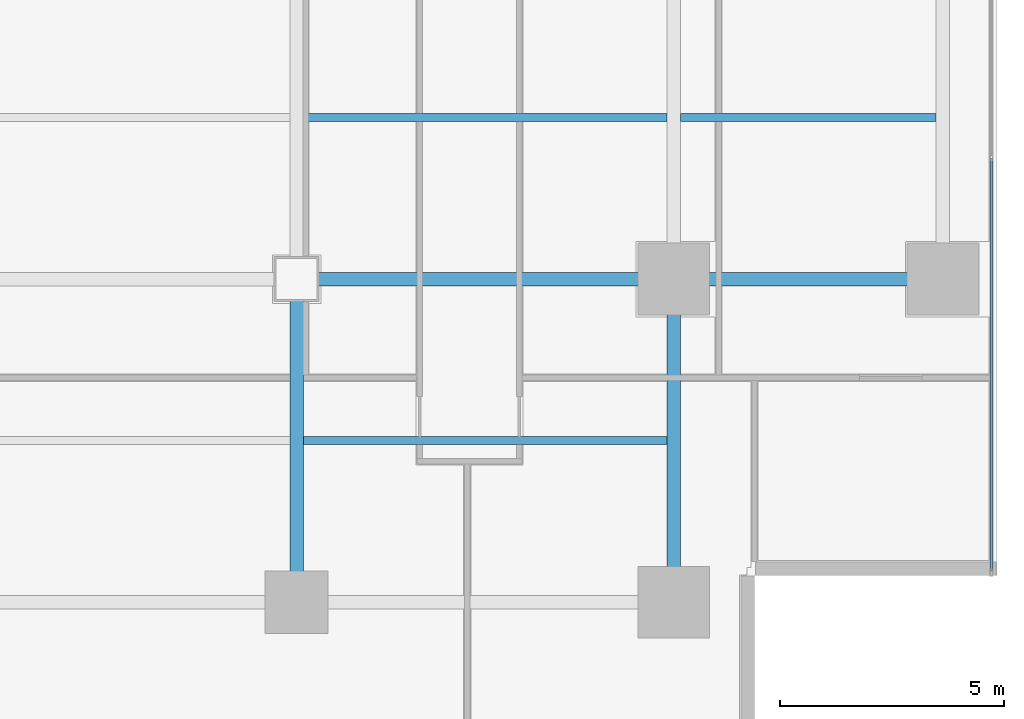
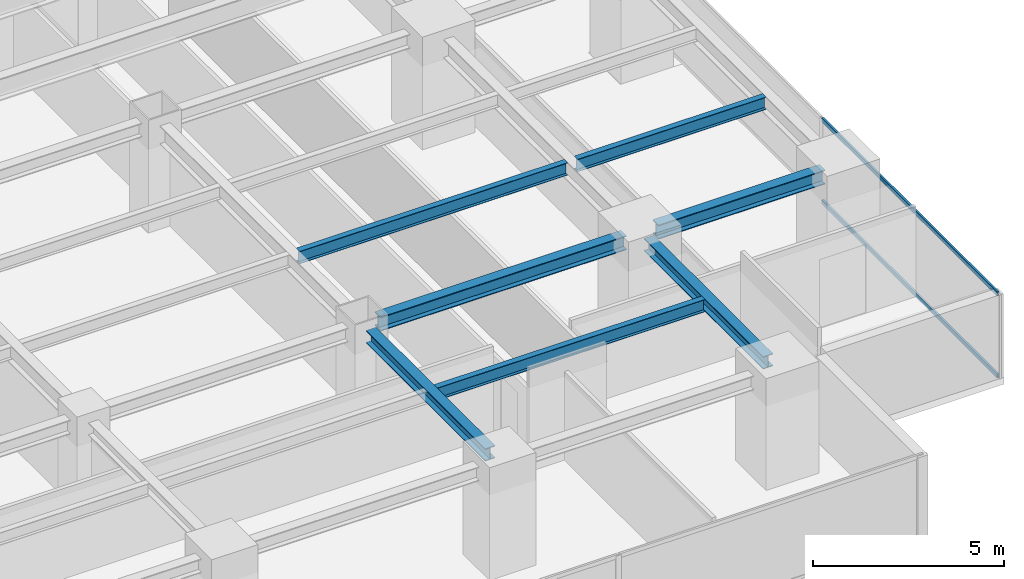
# One storey, part 10 of 28: 7 beams, 2 members, 1 element without a shape of its own.
"""IFC4 building model written with IfcOpenShell, lengths in metres."""

from ifc_helpers import new_model, si_unit, direction, frame, origin, origin_2d, place, context, subcontext, project, spatial, hollow_rectangle, i_section, extrude, source, transform, mapped, material, layer, layer_set, material_profile, profile_set, type_object, element, aggregate, save


model = new_model("IFC4")

# Units and contexts
model_context = context("Model", 3, precision=1e-05, world=origin(), true_north=direction((0.0, 1.0)))
body_context = subcontext(model_context, "Body", "Model", "MODEL_VIEW")
ifc_project = project(units=[si_unit("LENGTHUNIT", "METRE"), si_unit("AREAUNIT", "SQUARE_METRE"), si_unit("VOLUMEUNIT", "CUBIC_METRE"), si_unit("PLANEANGLEUNIT", "RADIAN"), si_unit("MASSUNIT", "GRAM", prefix="KILO")], contexts=[model_context])

# Site, building, storey
site_placement = place(None, origin())
site = spatial("IfcSite", under=ifc_project, at=site_placement, CompositionType="ELEMENT")
building_placement = place(site_placement, origin())
building = spatial("IfcBuilding", under=site, at=building_placement, Name="Sumidabori Civic Tower", CompositionType="ELEMENT")
storey_placement = place(building_placement, frame((0.0, 0.0, 185.60009765625)))
storey = spatial("IfcBuildingStorey", under=building, at=storey_placement, Name="L48", CompositionType="ELEMENT", Elevation=185.60009765625)

# Beams
ifc_material_1 = material(Name="Steel SN490", Category="steel")
ifc_material_profile_1 = material_profile(ifc_material_1, i_section(OverallWidth=0.300048828125, OverallDepth=0.39990234375, WebThickness=0.013427734375, FlangeThickness=0.02392578125, at=origin_2d()), Name="HE 400 B")
ifc_profile_set_1 = profile_set([ifc_material_profile_1], Name="Steel SN490")
beam_type_1 = type_object("IfcBeamType", Name="BM-GIRD-400", PredefinedType="BEAM", material=ifc_profile_set_1)
shared_shape_1 = source(origin(), body_context, "Body", "SweptSolid", [
    extrude(i_section(OverallWidth=0.300048828125, OverallDepth=0.39990234375, WebThickness=0.013427734375, FlangeThickness=0.02392578125, at=origin_2d()), origin(), (0.0, 0.0, 1.0), 6.239990234375),
])
for number, where, z_axis, x_axis, name in (
    (1, (8.39990234375, -17.52001953125, 3.099853515625), (0.0, 1.0, 0.0), (-1.0, 0.0, 0.0), "Primary Girder L48 GY-30"),
    (2, (16.800048828125, -17.52001953125, 3.099853515625), (0.0, 1.0, 0.0), (-1.0, 0.0, 0.0), "Primary Girder L48 GY-32"),
):
    element("IfcBeam", number, at=place(storey_placement, frame(where, z_axis=z_axis, x_axis=x_axis)), inside=storey, type_object=beam_type_1, Name=name, PredefinedType="BEAM", context=body_context, shape_type="MappedRepresentation", body=[
        mapped(shared_shape_1, transform((0.0, 0.0, 0.0), x_axis=(1.0, 0.0, 0.0), y_axis=(0.0, 1.0, 0.0), z_axis=(0.0, 0.0, 1.0), scale=1.0)),
    ])
ifc_material_profile_2 = material_profile(ifc_material_1, i_section(OverallWidth=0.179931640625, OverallDepth=0.39990234375, WebThickness=0.008544921875, FlangeThickness=0.013427734375, at=origin_2d()), Name="IPE 400")
ifc_profile_set_2 = profile_set([ifc_material_profile_2], Name="Steel SN490")
beam_type_2 = type_object("IfcBeamType", Name="BM-JST-400", PredefinedType="JOIST", material=ifc_profile_set_2)
shared_shape_2 = source(origin(), body_context, "Body", "SweptSolid", [
    extrude(i_section(OverallWidth=0.179931640625, OverallDepth=0.39990234375, WebThickness=0.008544921875, FlangeThickness=0.013427734375, at=origin_2d()), origin(), (0.0, 0.0, 1.0), 5.699951171875),
])
beam_1_placement = place(storey_placement, frame((16.949951171875, -7.199951171875, 3.099853515625), z_axis=(1.0, 0.0, 0.0), x_axis=(0.0, 1.0, 0.0)))
element("IfcBeam", 3, at=beam_1_placement, inside=storey, type_object=beam_type_2, Name="Outer Bay Floor Joist L48 JSTO-40", PredefinedType="JOIST", context=body_context, shape_type="MappedRepresentation", body=[
    mapped(shared_shape_2, transform((0.0, 0.0, 0.0), x_axis=(1.0, 0.0, 0.0), y_axis=(0.0, 1.0, 0.0), z_axis=(0.0, 0.0, 1.0), scale=1.0)),
])
shared_shape_3 = source(origin(), body_context, "Body", "SweptSolid", [
    extrude(i_section(OverallWidth=0.179931640625, OverallDepth=0.39990234375, WebThickness=0.008544921875, FlangeThickness=0.013427734375, at=origin_2d()), origin(), (0.0, 0.0, 1.0), 8.099853515625),
])
for number, where, z_axis, x_axis, name in (
    (4, (8.550048828125, -14.39990234375, 3.099853515625), (1.0, 0.0, 0.0), (0.0, 1.0, 0.0), "South Bay Floor Joist L48 JSTS-52"),
    (5, (8.550048828125, -7.199951171875, 3.099853515625), (1.0, 0.0, 0.0), (0.0, 1.0, 0.0), "South Bay Floor Joist L48 JSTS-56"),
):
    element("IfcBeam", number, at=place(storey_placement, frame(where, z_axis=z_axis, x_axis=x_axis)), inside=storey, type_object=beam_type_2, Name=name, PredefinedType="JOIST", context=body_context, shape_type="MappedRepresentation", body=[
        mapped(shared_shape_3, transform((0.0, 0.0, 0.0), x_axis=(1.0, 0.0, 0.0), y_axis=(0.0, 1.0, 0.0), z_axis=(0.0, 0.0, 1.0), scale=1.0)),
    ])
ifc_material_profile_3 = material_profile(ifc_material_1, i_section(OverallWidth=0.300048828125, OverallDepth=0.449951171875, WebThickness=0.013916015625, FlangeThickness=0.02587890625, at=origin_2d()), Name="HE 450 B")
ifc_profile_set_3 = profile_set([ifc_material_profile_3], Name="Steel SN490")
beam_type_3 = type_object("IfcBeamType", Name="BM-GIRD-450", PredefinedType="BEAM", material=ifc_profile_set_3)
shared_shape_4 = source(origin(), body_context, "Body", "SweptSolid", [
    extrude(i_section(OverallWidth=0.300048828125, OverallDepth=0.449951171875, WebThickness=0.013916015625, FlangeThickness=0.02587890625, at=origin_2d()), origin(), (0.0, 0.0, 1.0), 7.440185546875),
])
beam_2_placement = place(storey_placement, frame((8.8798828125, -10.800048828125, 3.074951171875), z_axis=(1.0, 0.0, 0.0), x_axis=(0.0, 1.0, 0.0)))
element("IfcBeam", 6, at=beam_2_placement, inside=storey, type_object=beam_type_3, Name="Primary Girder L48 GX-09", PredefinedType="BEAM", context=body_context, shape_type="MappedRepresentation", body=[
    mapped(shared_shape_4, transform((0.0, 0.0, 0.0), x_axis=(1.0, 0.0, 0.0), y_axis=(0.0, 1.0, 0.0), z_axis=(0.0, 0.0, 1.0), scale=1.0)),
])
shared_shape_5 = source(origin(), body_context, "Body", "SweptSolid", [
    extrude(i_section(OverallWidth=0.300048828125, OverallDepth=0.449951171875, WebThickness=0.013916015625, FlangeThickness=0.02587890625, at=origin_2d()), origin(), (0.0, 0.0, 1.0), 5.0400390625),
])
beam_3_placement = place(storey_placement, frame((17.280029296875, -10.800048828125, 3.074951171875), z_axis=(1.0, 0.0, 0.0), x_axis=(0.0, 1.0, 0.0)))
element("IfcBeam", 7, at=beam_3_placement, inside=storey, type_object=beam_type_3, Name="Primary Girder L48 GX-10", PredefinedType="BEAM", context=body_context, shape_type="MappedRepresentation", body=[
    mapped(shared_shape_5, transform((0.0, 0.0, 0.0), x_axis=(1.0, 0.0, 0.0), y_axis=(0.0, 1.0, 0.0), z_axis=(0.0, 0.0, 1.0), scale=1.0)),
])

# Curtain wall, members
ifc_material_2 = material(Name="Anodised Bronze Aluminium AW-6063-T6", Category="aluminium")
ifc_layer = layer(ifc_material_2, 0.179931640625, Name="Anodised Bronze Aluminium AW-6063-T6")
ifc_layer_set = layer_set([ifc_layer], Name="Anodised Bronze Aluminium AW-6063-T6")
curtain_wall_type = type_object("IfcCurtainWallType", Name="CW-SYS-3", PredefinedType="NOTDEFINED", material=ifc_layer_set)
curtain_wall_placement = place(storey_placement, origin())
curtain_wall = element("IfcCurtainWall", 8, at=curtain_wall_placement, inside=storey, type_object=curtain_wall_type, Name="Curtain Wall CW:L48:R04", PredefinedType="NOTDEFINED")
ifc_material_profile_4 = material_profile(ifc_material_2, hollow_rectangle(XDim=0.06005859375, YDim=0.1298828125, WallThickness=0.0048828125, at=origin_2d()), Name="ALU TRANSOM 130x60")
ifc_profile_set_4 = profile_set([ifc_material_profile_4], Name="Anodised Bronze Aluminium AW-6063-T6")
member_type = type_object("IfcMemberType", Name="CW-TRN-130", PredefinedType="USERDEFINED", material=ifc_profile_set_4)
shared_shape_6 = source(origin(), body_context, "Body", "SweptSolid", [
    extrude(hollow_rectangle(XDim=0.06005859375, YDim=0.1298828125, WallThickness=0.0048828125, at=origin_2d()), origin(), (0.0, 0.0, 1.0), 9.1875),
])
member_1_placement = place(storey_placement, frame((23.8798828125, -17.304931640625, 0.02978515625), z_axis=(0.0, 1.0, 0.0), x_axis=(-1.0, 0.0, 0.0)))
member_1 = element("IfcMember", 9, at=member_1_placement, type_object=member_type, Name="CW-3 transom 1.1", ObjectType="TRANSOM", PredefinedType="USERDEFINED", context=body_context, shape_type="MappedRepresentation", body=[
    mapped(shared_shape_6, transform((0.0, 0.0, 0.0), x_axis=(1.0, 0.0, 0.0), y_axis=(0.0, 1.0, 0.0), z_axis=(0.0, 0.0, 1.0), scale=1.0)),
])
member_2_placement = place(storey_placement, frame((23.8798828125, -17.304931640625, 2.64990234375), z_axis=(0.0, 1.0, 0.0), x_axis=(-1.0, 0.0, 0.0)))
member_2 = element("IfcMember", 10, at=member_2_placement, type_object=member_type, Name="CW-3 transom 1.2", ObjectType="TRANSOM", PredefinedType="USERDEFINED", context=body_context, shape_type="MappedRepresentation", body=[
    mapped(shared_shape_6, transform((0.0, 0.0, 0.0), x_axis=(1.0, 0.0, 0.0), y_axis=(0.0, 1.0, 0.0), z_axis=(0.0, 0.0, 1.0), scale=1.0)),
])
aggregate(curtain_wall, [member_1, member_2])

save(model, "model.ifc")
